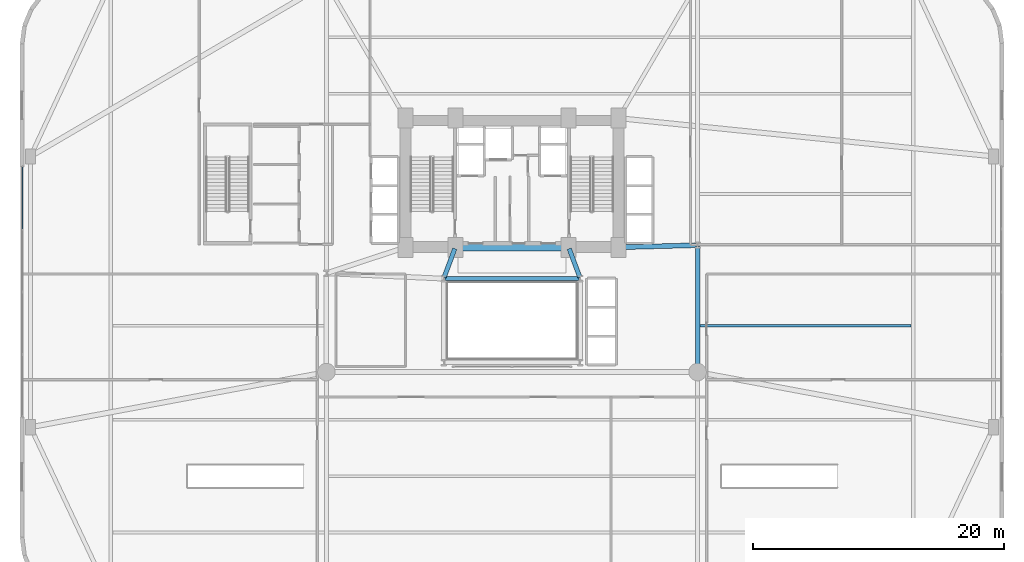
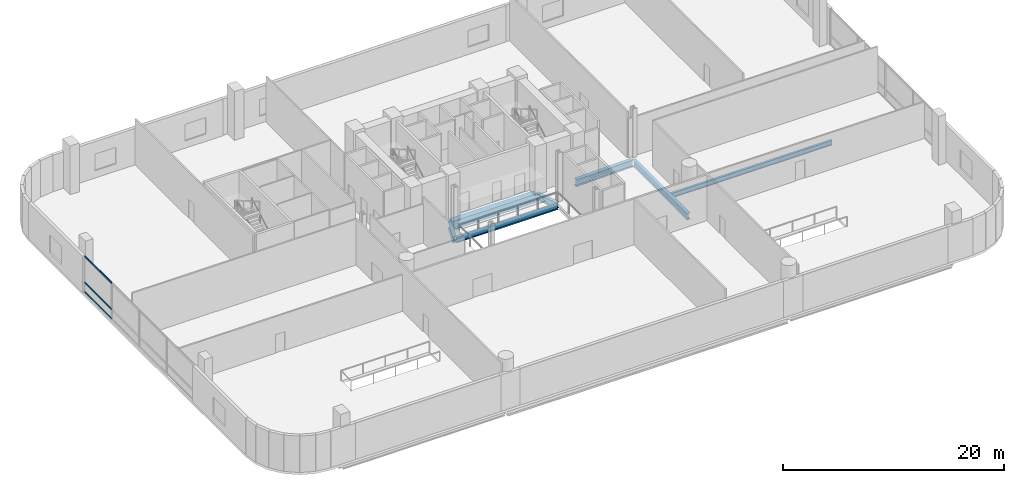
# One storey, part 13 of 31: 7 beams, 3 members, 1 element without a shape of its own.
"""IFC4 building model written with IfcOpenShell, lengths in metres."""

from ifc_helpers import new_model, si_unit, direction, frame, origin, origin_2d, place, context, subcontext, project, spatial, rectangle, hollow_rectangle, i_section, extrude, material, layer, layer_set, material_profile, profile_set, type_object, element, aggregate, save


model = new_model("IFC4")

# Units and contexts
model_context = context("Model", 3, precision=1e-05, world=origin(), true_north=direction((0.0, 1.0)))
body_context = subcontext(model_context, "Body", "Model", "MODEL_VIEW")
ifc_project = project(units=[si_unit("LENGTHUNIT", "METRE"), si_unit("AREAUNIT", "SQUARE_METRE"), si_unit("VOLUMEUNIT", "CUBIC_METRE"), si_unit("PLANEANGLEUNIT", "RADIAN"), si_unit("MASSUNIT", "GRAM", prefix="KILO")], contexts=[model_context])

# Site, building, storey
site_placement = place(None, origin())
site = spatial("IfcSite", under=ifc_project, at=site_placement, CompositionType="ELEMENT")
building_placement = place(site_placement, origin())
building = spatial("IfcBuilding", under=site, at=building_placement, Name="Varnelok Gate Tower", CompositionType="ELEMENT")
storey_placement = place(building_placement, frame((0.0, 0.0, 16.199951171875)))
storey = spatial("IfcBuildingStorey", under=building, at=storey_placement, Name="L03", CompositionType="ELEMENT", Elevation=16.199951171875)

# Beams
ifc_material_1 = material(Name="Structural Steel ASTM A992 Grade 50", Category="steel")
ifc_material_profile_1 = material_profile(ifc_material_1, i_section(OverallWidth=0.2119140625, OverallDepth=0.5439453125, WebThickness=0.01318359375, FlangeThickness=0.021240234375, FilletRadius=0.01611328125, at=origin_2d()), Name="W21X83")
ifc_profile_set_1 = profile_set([ifc_material_profile_1], Name="Structural Steel ASTM A992 Grade 50")
beam_type_1 = type_object("IfcBeamType", Name="BM-JST-W21X83", PredefinedType="JOIST", material=ifc_profile_set_1)
beam_1_placement = place(storey_placement, frame((54.159912109375, 22.5, -0.552001953125), z_axis=(1.0, 0.0, 0.0), x_axis=(0.0, 1.0, 0.0)))
element("IfcBeam", 1, at=beam_1_placement, inside=storey, type_object=beam_type_1, Name="L03 Podium Floor Joist", PredefinedType="JOIST", context=body_context, shape_type="SweptSolid", body=[
    extrude(i_section(OverallWidth=0.2119140625, OverallDepth=0.5439453125, WebThickness=0.01318359375, FlangeThickness=0.021240234375, FilletRadius=0.01611328125, at=origin_2d()), origin(), (0.0, 0.0, 1.0), 16.880126953125),
])
ifc_material_2 = material(Name="Concrete C60/75", Category="concrete")
ifc_material_profile_2 = material_profile(ifc_material_2, rectangle(XDim=0.60009765625, YDim=0.949951171875, at=origin_2d()), Name="RC950X600")
ifc_profile_set_2 = profile_set([ifc_material_profile_2], Name="Concrete C60/75")
beam_type_2 = type_object("IfcBeamType", Name="BM-LNT-RC950", PredefinedType="LINTEL", material=ifc_profile_set_2)
beam_2_placement = place(storey_placement, frame((34.800048828125, 28.75, -0.7548828125), z_axis=(1.0, 0.0, 0.0), x_axis=(0.0, 1.0, 0.0)))
element("IfcBeam", 2, at=beam_2_placement, inside=storey, type_object=beam_type_2, Name="L03 Core-Atrium Spine Beam 7", PredefinedType="LINTEL", context=body_context, shape_type="SweptSolid", body=[
    extrude(rectangle(XDim=0.60009765625, YDim=0.949951171875, at=origin_2d()), origin(), (0.0, 0.0, 1.0), 8.800048828125),
])
ifc_material_profile_3 = material_profile(ifc_material_1, i_section(OverallWidth=0.35498046875, OverallDepth=0.696044921875, WebThickness=0.015380859375, FlangeThickness=0.02490234375, FilletRadius=0.02001953125, at=origin_2d()), Name="W27X146")
ifc_profile_set_3 = profile_set([ifc_material_profile_3], Name="Structural Steel ASTM A992 Grade 50")
beam_type_3 = type_object("IfcBeamType", Name="BM-PRI-W27X146", PredefinedType="BEAM", material=ifc_profile_set_3)
for number, where, z_axis, x_axis, name in (
    (3, (33.791748046875, 26.362548828125, -0.6279296875), (0.348719329408, 0.937227202602, 0.0), (-0.937227202602, 0.348719329408, 0.0), "L03 Core-Atrium Spine Beam 12"),
    (4, (44.608154296875, 26.362548828125, -0.6279296875), (-0.348719329408, 0.937227202602, 0.0), (-0.937227202602, -0.348719329408, 0.0), "L03 Core-Atrium Spine Beam 13"),
):
    element("IfcBeam", number, at=place(storey_placement, frame(where, z_axis=z_axis, x_axis=x_axis)), inside=storey, type_object=beam_type_3, Name=name, PredefinedType="BEAM", context=body_context, shape_type="SweptSolid", body=[
        extrude(i_section(OverallWidth=0.35498046875, OverallDepth=0.696044921875, WebThickness=0.015380859375, FlangeThickness=0.02490234375, FilletRadius=0.02001953125, at=origin_2d()), origin(), (0.0, 0.0, 1.0), 2.42724609375),
    ])
beam_3_placement = place(storey_placement, frame((54.0, 18.919921875, -0.6279296875), z_axis=(0.0, 1.0, 0.0), x_axis=(-1.0, 0.0, 0.0)))
element("IfcBeam", 5, at=beam_3_placement, inside=storey, type_object=beam_type_3, Name="L03 Core-Atrium Spine Beam 20", PredefinedType="BEAM", context=body_context, shape_type="SweptSolid", body=[
    extrude(i_section(OverallWidth=0.35498046875, OverallDepth=0.696044921875, WebThickness=0.015380859375, FlangeThickness=0.02490234375, FilletRadius=0.02001953125, at=origin_2d()), origin(), (0.0, 0.0, 1.0), 9.880126953125),
])
ifc_material_profile_4 = material_profile(ifc_material_1, i_section(OverallWidth=0.381103515625, OverallDepth=0.77294921875, WebThickness=0.0166015625, FlangeThickness=0.027099609375, FilletRadius=0.02197265625, at=origin_2d()), Name="W30X173")
ifc_profile_set_4 = profile_set([ifc_material_profile_4], Name="Structural Steel ASTM A992 Grade 50")
beam_type_4 = type_object("IfcBeamType", Name="BM-PRI-W30X173", PredefinedType="BEAM", material=ifc_profile_set_4)
beam_4_placement = place(storey_placement, frame((47.820068359375, 28.753173828125, -0.66650390625), z_axis=(0.999635880609, 0.026983443053, 0.0), x_axis=(-0.026983443053, 0.999635880609, 0.0)))
element("IfcBeam", 6, at=beam_4_placement, inside=storey, type_object=beam_type_4, Name="L03 Core-Atrium Spine Beam 19", PredefinedType="BEAM", context=body_context, shape_type="SweptSolid", body=[
    extrude(i_section(OverallWidth=0.381103515625, OverallDepth=0.77294921875, WebThickness=0.0166015625, FlangeThickness=0.027099609375, FilletRadius=0.02197265625, at=origin_2d()), origin(), (0.0, 0.0, 1.0), 6.06201171875),
])
ifc_material_profile_5 = material_profile(ifc_material_1, i_section(OverallWidth=0.323974609375, OverallDepth=0.611083984375, WebThickness=0.0126953125, FlangeThickness=0.01904296875, FilletRadius=0.01806640625, at=origin_2d()), Name="W24X104")
ifc_profile_set_5 = profile_set([ifc_material_profile_5], Name="Structural Steel ASTM A992 Grade 50")
beam_type_5 = type_object("IfcBeamType", Name="BM-SPN-W24X104", PredefinedType="SPANDREL", material=ifc_profile_set_5)
beam_5_placement = place(storey_placement, frame((33.8701171875, 26.25, -0.58544921875), z_axis=(1.0, 0.0, 0.0), x_axis=(0.0, 1.0, 0.0)))
element("IfcBeam", 7, at=beam_5_placement, inside=storey, type_object=beam_type_5, Name="L03 Core-Atrium Spine Beam 9", PredefinedType="SPANDREL", context=body_context, shape_type="SweptSolid", body=[
    extrude(i_section(OverallWidth=0.323974609375, OverallDepth=0.611083984375, WebThickness=0.0126953125, FlangeThickness=0.01904296875, FilletRadius=0.01806640625, at=origin_2d()), origin(), (0.0, 0.0, 1.0), 10.659912109375),
])

# Curtain wall, members
ifc_material_3 = material(Name="Anodized Aluminum Alloy 6063-T6", Category="aluminium")
ifc_layer = layer(ifc_material_3, 0.179931640625)
ifc_layer_set = layer_set([ifc_layer], Name="Anodized Aluminum Alloy 6063-T6")
curtain_wall_type = type_object("IfcCurtainWallType", Name="CW1-ARCH-PORTAL", PredefinedType="USERDEFINED", material=ifc_layer_set)
curtain_wall_placement = place(storey_placement, origin())
curtain_wall = element("IfcCurtainWall", 8, at=curtain_wall_placement, inside=storey, type_object=curtain_wall_type, Name="L03 Podium Portal Curtain Wall W", ObjectType="UNITISED CURTAIN WALL", PredefinedType="USERDEFINED")
ifc_material_profile_6 = material_profile(ifc_material_3, hollow_rectangle(XDim=0.074951171875, YDim=0.199951171875, WallThickness=0.00390625, at=origin_2d()), Name="ALU200X75X4")
ifc_profile_set_6 = profile_set([ifc_material_profile_6], Name="Anodized Aluminum Alloy 6063-T6")
member_type = type_object("IfcMemberType", Name="CW-TRAN-200", PredefinedType="USERDEFINED", material=ifc_profile_set_6)
member_1_placement = place(storey_placement, frame((0.159912109375, 30.237548828125, 0.03759765625), z_axis=(0.0, 1.0, 0.0), x_axis=(-1.0, 0.0, 0.0)))
member_1 = element("IfcMember", 9, at=member_1_placement, type_object=member_type, Name="CW1 transom 4.1", ObjectType="TRANSOM", PredefinedType="USERDEFINED", context=body_context, shape_type="SweptSolid", body=[
    extrude(hollow_rectangle(XDim=0.074951171875, YDim=0.199951171875, WallThickness=0.00390625, at=origin_2d()), origin(), (0.0, 0.0, 1.0), 4.887451171875),
])
member_2_placement = place(storey_placement, frame((0.159912109375, 30.237548828125, 1.10009765625), z_axis=(0.0, 1.0, 0.0), x_axis=(-1.0, 0.0, 0.0)))
member_2 = element("IfcMember", 10, at=member_2_placement, type_object=member_type, Name="CW1 transom 4.2", ObjectType="TRANSOM", PredefinedType="USERDEFINED", context=body_context, shape_type="SweptSolid", body=[
    extrude(hollow_rectangle(XDim=0.074951171875, YDim=0.199951171875, WallThickness=0.00390625, at=origin_2d()), origin(), (0.0, 0.0, 1.0), 4.887451171875),
])
member_3_placement = place(storey_placement, frame((0.159912109375, 30.237548828125, 3.992431640625), z_axis=(0.0, 1.0, 0.0), x_axis=(-1.0, 0.0, 0.0)))
member_3 = element("IfcMember", 11, at=member_3_placement, type_object=member_type, Name="CW1 transom 4.3", ObjectType="TRANSOM", PredefinedType="USERDEFINED", context=body_context, shape_type="SweptSolid", body=[
    extrude(hollow_rectangle(XDim=0.074951171875, YDim=0.199951171875, WallThickness=0.00390625, at=origin_2d()), origin(), (0.0, 0.0, 1.0), 4.887451171875),
])
aggregate(curtain_wall, [member_1, member_2, member_3])

save(model, "model.ifc")
